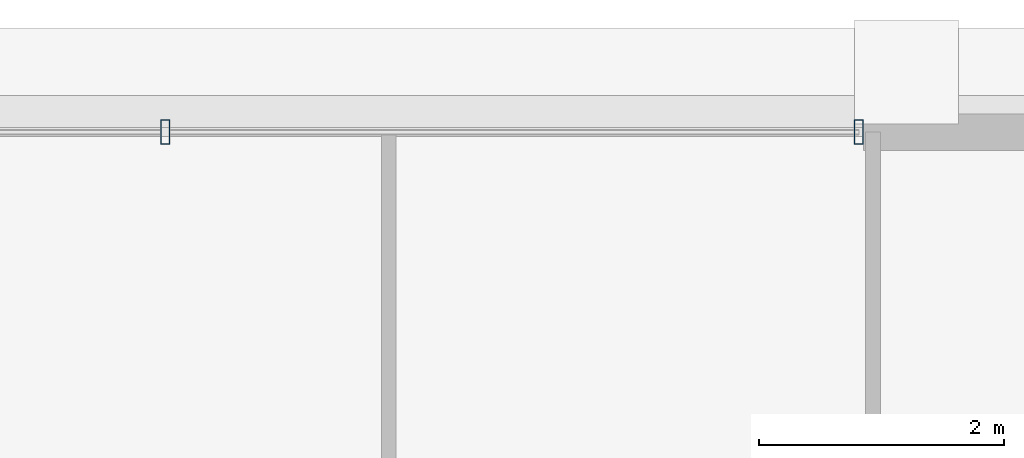
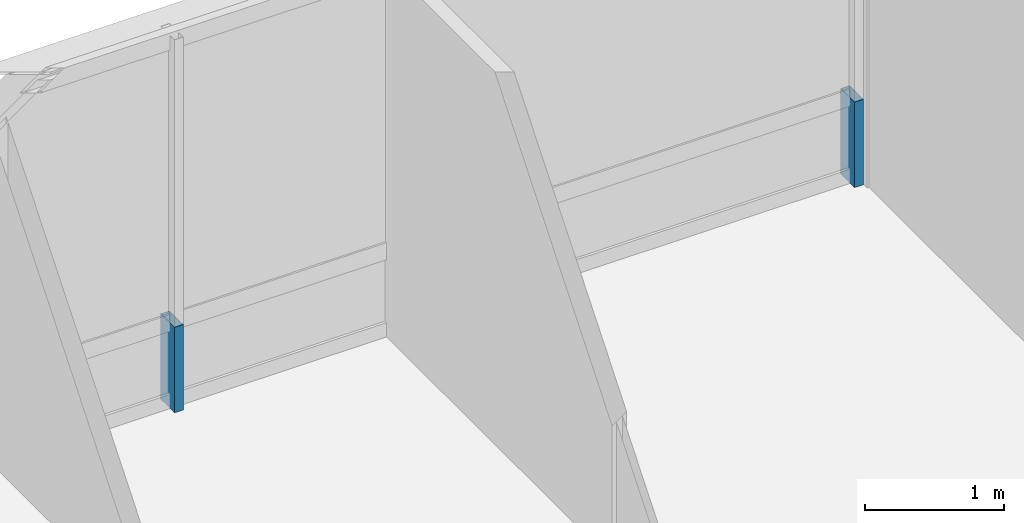
# One storey, part 28 of 35: 2 members, 1 element without a shape of its own.
"""IFC4 building model written with IfcOpenShell, lengths in metres."""

from ifc_helpers import new_model, si_unit, direction, frame, origin, origin_2d, place, context, subcontext, project, spatial, hollow_rectangle, extrude, source, transform, mapped, material, layer, layer_set, material_profile, profile_set, type_object, element, aggregate, save


model = new_model("IFC4")

# Units and contexts
model_context = context("Model", 3, precision=1e-05, world=origin(), true_north=direction((0.0, 1.0)))
body_context = subcontext(model_context, "Body", "Model", "MODEL_VIEW")
ifc_project = project(units=[si_unit("LENGTHUNIT", "METRE"), si_unit("AREAUNIT", "SQUARE_METRE"), si_unit("VOLUMEUNIT", "CUBIC_METRE"), si_unit("PLANEANGLEUNIT", "RADIAN"), si_unit("MASSUNIT", "GRAM", prefix="KILO"), si_unit("THERMODYNAMICTEMPERATUREUNIT", "KELVIN"), si_unit("POWERUNIT", "WATT")], contexts=[model_context])

# Site, building, storey
site_placement = place(None, origin())
site = spatial("IfcSite", under=ifc_project, at=site_placement, CompositionType="ELEMENT")
building_placement = place(site_placement, origin())
building = spatial("IfcBuilding", under=site, at=building_placement, Name="Yuzanri Waterfront Tower", CompositionType="ELEMENT")
storey_placement = place(building_placement, frame((0.0, 0.0, 296.10009765625)))
storey = spatial("IfcBuildingStorey", under=building, at=storey_placement, Name="L79", CompositionType="ELEMENT", Elevation=296.10009765625)

# Curtain wall, members
ifc_material_1 = material(Name="Anodized Architectural Bronze", Category="metal")
ifc_layer = layer(ifc_material_1, 0.159912109375)
ifc_layer_set = layer_set([ifc_layer], Name="Anodized Architectural Bronze")
curtain_wall_type = type_object("IfcCurtainWallType", Name="Anodized Bronze High-Rise Penthouse High-Wind Unitized Curtain Wall 6900", PredefinedType="NOTDEFINED", material=ifc_layer_set)
curtain_wall_placement = place(storey_placement, origin())
curtain_wall = element("IfcCurtainWall", 1, at=curtain_wall_placement, inside=storey, type_object=curtain_wall_type, Name="L79 Curtain Wall CW-L79-NR", PredefinedType="NOTDEFINED")
ifc_material_2 = material(Name="Anodized Architectural Bronze", Category="metal")
ifc_material_profile = material_profile(ifc_material_2, hollow_rectangle(XDim=0.074951171875, YDim=0.199951171875, WallThickness=0.00390625, at=origin_2d()), Name="CWM 75x200")
ifc_profile_set = profile_set([ifc_material_profile], Name="Anodized Architectural Bronze")
member_type = type_object("IfcMemberType", Name="Anodized Bronze Primary Curtain-Wall Mullion 75x200", PredefinedType="MULLION", material=ifc_profile_set)
shared_shape = source(origin(), body_context, "Body", "SweptSolid", [
    extrude(hollow_rectangle(XDim=0.074951171875, YDim=0.199951171875, WallThickness=0.00390625, at=origin_2d()), origin(), (0.0, 0.0, 1.0), 0.751953125),
])
member_1_placement = place(storey_placement, frame((43.050048828125, 44.75, 0.0), z_axis=(0.0, 0.0, 1.0), x_axis=(1.0, 0.0, 0.0)))
member_1 = element("IfcMember", 2, at=member_1_placement, type_object=member_type, Name="CW-L79-NR Lower Mullion 01", PredefinedType="MULLION", context=body_context, shape_type="MappedRepresentation", body=[
    mapped(shared_shape, transform((0.0, 0.0, 0.0), scale=1.0)),
])
member_2_placement = place(storey_placement, frame((48.7099609375, 44.75, 0.0), z_axis=(0.0, 0.0, 1.0), x_axis=(1.0, 0.0, 0.0)))
member_2 = element("IfcMember", 3, at=member_2_placement, type_object=member_type, Name="CW-L79-NR Lower Mullion 02", PredefinedType="MULLION", context=body_context, shape_type="MappedRepresentation", body=[
    mapped(shared_shape, transform((0.0, 0.0, 0.0), scale=1.0)),
])
aggregate(curtain_wall, [member_1, member_2])

save(model, "model.ifc")
